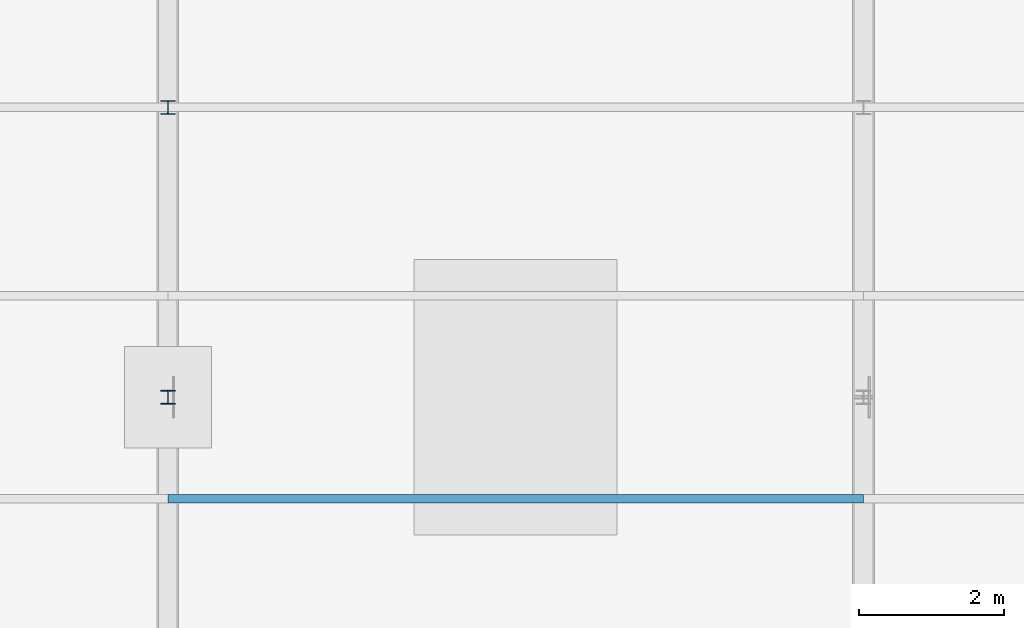
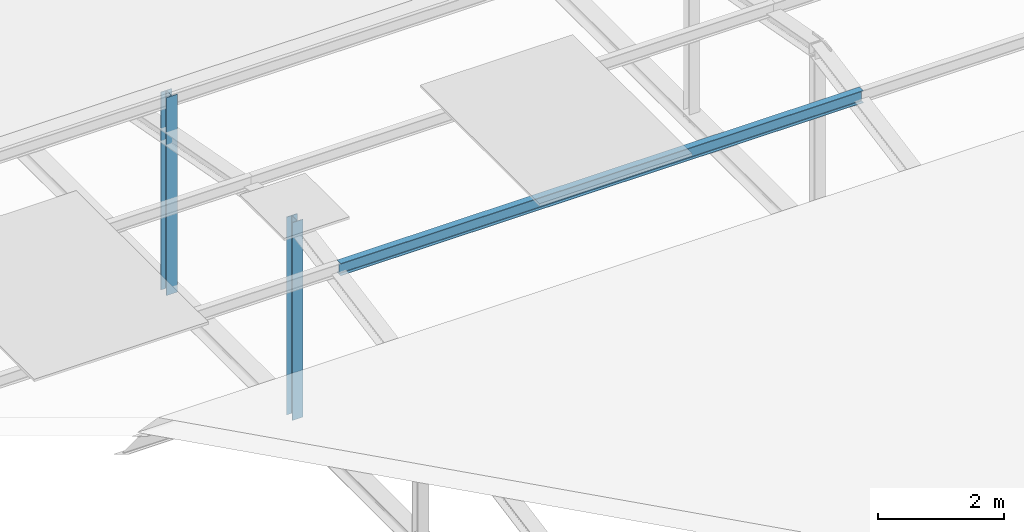
# One storey, part 26 of 73: 2 members, 1 beam.
"""IFC4 building model written with IfcOpenShell, lengths in metres."""

from ifc_helpers import new_model, si_unit, direction, frame, origin, origin_2d, place, context, subcontext, project, spatial, i_section, extrude, material, material_profile, profile_set, type_object, element, save


model = new_model("IFC4")

# Units and contexts
model_context = context("Model", 3, precision=1e-05, world=origin(), true_north=direction((0.0, 1.0)))
body_context = subcontext(model_context, "Body", "Model", "MODEL_VIEW")
ifc_project = project(units=[si_unit("LENGTHUNIT", "METRE"), si_unit("AREAUNIT", "SQUARE_METRE"), si_unit("VOLUMEUNIT", "CUBIC_METRE"), si_unit("PLANEANGLEUNIT", "RADIAN"), si_unit("MASSUNIT", "GRAM", prefix="KILO")], contexts=[model_context])

# Site, building, storey
site_placement = place(None, origin())
site = spatial("IfcSite", under=ifc_project, at=site_placement, CompositionType="ELEMENT")
building_placement = place(site_placement, origin())
building = spatial("IfcBuilding", under=site, at=building_placement, Name="Alderhovde Museum", CompositionType="ELEMENT")
storey_placement = place(building_placement, frame((0.0, 0.0, 17.39990234375)))
storey = spatial("IfcBuildingStorey", under=building, at=storey_placement, Name="L04", CompositionType="ELEMENT", Elevation=17.39990234375)

# Beam
ifc_material_1 = material(Name="Steel S355J2", Category="steel")
ifc_material_profile_1 = material_profile(ifc_material_1, i_section(OverallWidth=0.1201171875, OverallDepth=0.239990234375, WebThickness=0.006103515625, FlangeThickness=0.009765625, FilletRadius=0.014892578125, at=origin_2d()), Name="IPE 240")
ifc_profile_set_1 = profile_set([ifc_material_profile_1], Name="Steel S355J2")
beam_type = type_object("IfcBeamType", Name="BM-IPE240", PredefinedType="BEAM", material=ifc_profile_set_1)
beam_placement = place(storey_placement, frame((86.39990234375, 50.60009765625, 3.840087890625), z_axis=(1.0, 0.0, 0.0), x_axis=(0.0, 1.0, 0.0)))
element("IfcBeam", 1, at=beam_placement, inside=storey, type_object=beam_type, Name="Atrium Ridge Bearer Y=51", PredefinedType="BEAM", context=body_context, shape_type="SweptSolid", body=[
    extrude(i_section(OverallWidth=0.1201171875, OverallDepth=0.239990234375, WebThickness=0.006103515625, FlangeThickness=0.009765625, FilletRadius=0.014892578125, at=origin_2d()), origin(), (0.0, 0.0, 1.0), 9.60009765625),
])

# Members
ifc_material_2 = material(Name="Steel S355J2", Category="steel")
ifc_material_profile_2 = material_profile(ifc_material_2, i_section(OverallWidth=0.199951171875, OverallDepth=0.18994140625, WebThickness=0.006591796875, FlangeThickness=0.010009765625, FilletRadius=0.01806640625, at=origin_2d()), Name="HEA 200")
ifc_profile_set_2 = profile_set([ifc_material_profile_2], Name="Steel S355J2")
member_type = type_object("IfcMemberType", Name="TR-PS-HEA200", PredefinedType="POST", material=ifc_profile_set_2)
for number, where, z_axis, x_axis, name in (
    (2, (86.39990234375, 52.0, 0.1201171875), (0.0, 0.0, 1.0), (1.0, 0.0, 0.0), "Atrium Truss X=86.4 Post P2"),
    (3, (86.39990234375, 56.0, 0.1201171875), (0.0, 0.0, 1.0), (1.0, 0.0, 0.0), "Atrium Truss X=86.4 Post P3"),
):
    element("IfcMember", number, at=place(storey_placement, frame(where, z_axis=z_axis, x_axis=x_axis)), inside=storey, type_object=member_type, Name=name, PredefinedType="POST", context=body_context, shape_type="SweptSolid", body=[
        extrude(i_section(OverallWidth=0.199951171875, OverallDepth=0.18994140625, WebThickness=0.006591796875, FlangeThickness=0.010009765625, FilletRadius=0.01806640625, at=origin_2d()), origin(), (0.0, 0.0, 1.0), 3.840087890625),
    ])

save(model, "model.ifc")
